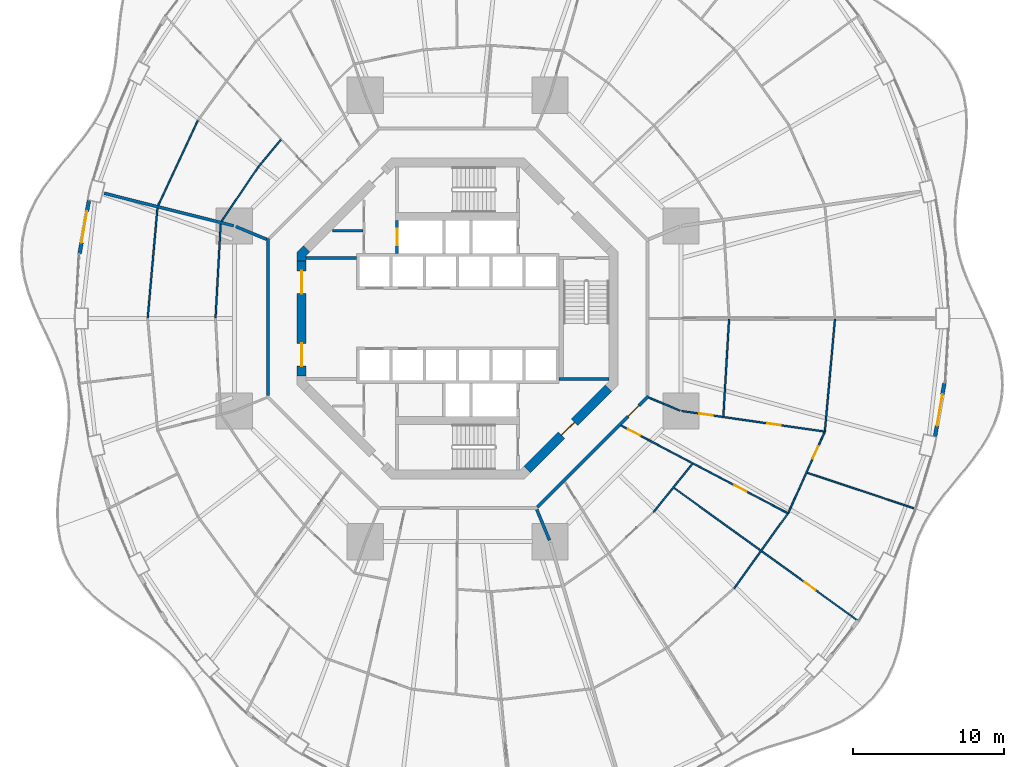
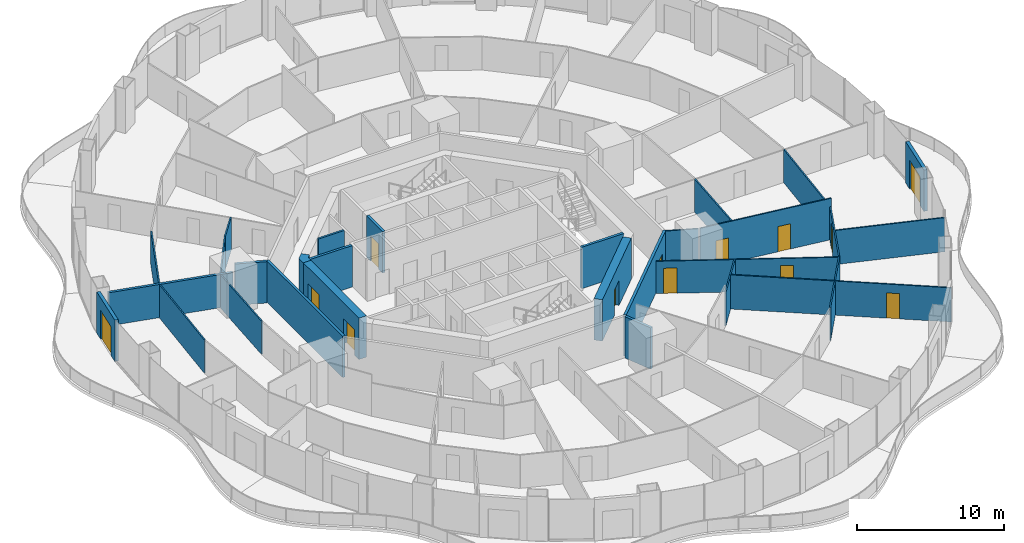
# One storey, part 16 of 22: 29 walls, 13 doors, 13 openings.
"""IFC4 building model written with IfcOpenShell, lengths in metres."""

from ifc_helpers import new_model, si_unit, direction, frame, frame_2d, origin, place, context, subcontext, project, spatial, polyline, rectangle, outline, extrude, material, layer, layer_set, type_object, element, fill, save


model = new_model("IFC4")

# Units and contexts
model_context = context("Model", 3, precision=1e-05, world=origin(), true_north=direction((0.0, 1.0)))
body_context = subcontext(model_context, "Body", "Model", "MODEL_VIEW")
ifc_project = project(units=[si_unit("LENGTHUNIT", "METRE"), si_unit("AREAUNIT", "SQUARE_METRE"), si_unit("VOLUMEUNIT", "CUBIC_METRE"), si_unit("PLANEANGLEUNIT", "RADIAN"), si_unit("MASSUNIT", "GRAM", prefix="KILO")], contexts=[model_context])

# Site, building, storey
site_placement = place(None, origin())
site = spatial("IfcSite", under=ifc_project, at=site_placement, CompositionType="ELEMENT")
building_placement = place(site_placement, origin())
building = spatial("IfcBuilding", under=site, at=building_placement, Name="Nagisa Residences", CompositionType="ELEMENT")
storey_placement = place(building_placement, frame((0.0, 0.0, 38.10009765625)))
storey = spatial("IfcBuildingStorey", under=building, at=storey_placement, Name="L08", CompositionType="ELEMENT", Elevation=38.10009765625)

# Walls
ifc_material_1 = material(Name="Gypsum board on steel studs", Category="steel")
ifc_layer_1 = layer(ifc_material_1, 0.199951171875)
ifc_layer_set_1 = layer_set([ifc_layer_1], Name="Apartment compartment wall EI60 200")
wall_type_1 = type_object("IfcWallType", Name="Apartment compartment wall EI60 200", PredefinedType="PARTITIONING", material=ifc_layer_set_1)
wall_1_placement = place(storey_placement, frame((-12.6572265625, 5.24267578125, 0.0), z_axis=(0.0, 0.0, 1.0), x_axis=(-0.923885664896, 0.382668627144, 0.0)))
element("IfcWall", 1, at=wall_1_placement, inside=storey, type_object=wall_type_1, Name="wall:L08:u02", PredefinedType="PARTITIONING", context=body_context, shape_type="SweptSolid", body=[
    extrude(rectangle(XDim=2.200439453125, YDim=0.199951171875, at=frame_2d((1.10009765625, 0.0))), origin(), (0.0, 0.0, 1.0), 3.43994140625),
])
wall_2_placement = place(storey_placement, frame((-14.83056640625, 6.135009765625, 0.0), z_axis=(0.0, 0.0, 1.0), x_axis=(-0.969884949569, 0.243563512454, 0.0)))
element("IfcWall", 2, at=wall_2_placement, inside=storey, type_object=wall_type_1, Name="wall:L08:u03", PredefinedType="PARTITIONING", context=body_context, shape_type="SweptSolid", body=[
    extrude(rectangle(XDim=8.828857421875, YDim=0.199951171875, at=frame_2d((4.41455078125, 0.0))), origin(), (0.0, 0.0, 1.0), 2.755859375),
])
wall_3_placement = place(storey_placement, frame((5.24267578125, -12.6572265625, 0.0), z_axis=(0.0, 0.0, 1.0), x_axis=(0.382707856524, -0.923869415315, 0.0)))
element("IfcWall", 3, at=wall_3_placement, inside=storey, type_object=wall_type_1, Name="wall:L08:u04", PredefinedType="PARTITIONING", context=body_context, shape_type="SweptSolid", body=[
    extrude(rectangle(XDim=2.2001953125, YDim=0.199951171875, at=frame_2d((1.10009765625, 0.0))), origin(), (0.0, 0.0, 1.0), 3.43994140625),
])
ifc_material_2 = material(Name="Gypsum board on steel studs", Category="steel")
ifc_layer_2 = layer(ifc_material_2, 0.199951171875)
ifc_layer_set_2 = layer_set([ifc_layer_2], Name="Apartment entry wall EI60 200")
wall_type_2 = type_object("IfcWallType", Name="Apartment entry wall EI60 200", PredefinedType="PARTITIONING", material=ifc_layer_set_2)
wall_4_placement = place(storey_placement, frame((-12.564697265625, 5.304443359375, 0.0), z_axis=(0.0, 0.0, 1.0), x_axis=(0.0, -1.0, 0.0)))
element("IfcWall", 4, at=wall_4_placement, inside=storey, type_object=wall_type_2, Name="wall:L08:u10", PredefinedType="PARTITIONING", context=body_context, shape_type="SweptSolid", body=[
    extrude(rectangle(XDim=10.408935546875, YDim=0.199951171875, at=frame_2d((5.20458984375, 0.0))), origin(), (0.0, 0.0, 1.0), 3.43994140625),
])

# Wall, opening, door
wall_5_placement = place(storey_placement, frame((5.275146484375, -12.494140625, 0.0), z_axis=(0.0, 0.0, 1.0), x_axis=(0.707106781187, 0.707106781187, 0.0)))
wall_5 = element("IfcWall", 5, at=wall_5_placement, inside=storey, type_object=wall_type_2, Name="wall:L08:u13", PredefinedType="PARTITIONING", context=body_context, shape_type="SweptSolid", body=[
    extrude(rectangle(XDim=10.4091796875, YDim=0.199951171875, at=frame_2d((5.20458984375, 0.0))), origin(), (0.0, 0.0, 1.0), 3.43994140625),
])
opening_1_placement = place(wall_5_placement, frame((8.5078125, 0.0, 0.0)))
opening_1 = element("IfcOpeningElement", 6, at=opening_1_placement, cuts=wall_5, Name="Opening L08-U38", PredefinedType="OPENING", context=body_context, shape_type="SweptSolid", body=[
    extrude(rectangle(XDim=1.0, YDim=2.10009765625, at=frame_2d((0.5, 1.050048828125))), frame((0.0, 0.10986328125, 0.0), z_axis=(0.0, -1.0, 0.0), x_axis=(1.0, 0.0, 0.0)), (0.0, 0.0, 1.0), 0.219970703125),
])
ifc_material_3 = material(Name="Timber fire door set", Category="wood")
door_type_1 = type_object("IfcDoorType", Name="Apartment entry door FD30S 1000x2100", OperationType="NOTDEFINED", PredefinedType="DOOR", material=ifc_material_3)
door_1_placement = place(opening_1_placement, frame((1.0, 0.0, 0.0), x_axis=(-1.0, 0.0, 0.0)))
door_1 = element("IfcDoor", 7, at=door_1_placement, inside=storey, type_object=door_type_1, Name="Entry door, Apartment 08C", OperationType="SINGLE_SWING_LEFT", OverallHeight=2.10009765625, OverallWidth=1.0, PredefinedType="DOOR", context=body_context, shape_type="SweptSolid", body=[
    extrude(rectangle(XDim=1.0, YDim=2.10009765625, at=frame_2d((0.5, 1.050048828125))), frame((0.0, 0.02490234375, 0.0), z_axis=(0.0, -1.0, 0.0), x_axis=(1.0, 0.0, 0.0)), (0.0, 0.0, 1.0), 0.050048828125),
])
fill(opening_1, door_1)

# Walls
ifc_material_4 = material(Name="Gypsum board on steel studs", Category="steel")
ifc_layer_3 = layer(ifc_material_4, 0.10009765625)
ifc_layer_set_3 = layer_set([ifc_layer_3], Name="Apartment partition 100")
wall_type_3 = type_object("IfcWallType", Name="Apartment partition 100", PredefinedType="PARTITIONING", material=ifc_layer_set_3)
wall_6_placement = place(storey_placement, frame((17.971435546875, -0.0498046875, 0.0), z_axis=(0.0, 0.0, 1.0), x_axis=(-0.058475267553, -0.998288857538, 0.0)))
element("IfcWall", 8, at=wall_6_placement, inside=storey, type_object=wall_type_3, Name="wall:L08:u16", PredefinedType="PARTITIONING", context=body_context, shape_type="SweptSolid", body=[
    extrude(rectangle(XDim=6.43798828125, YDim=0.10009765625, at=frame_2d((3.218994140625, 0.0))), origin(), (0.0, 0.0, 1.0), 2.755859375),
])
wall_7_placement = place(storey_placement, frame((24.982177734375, -0.0498046875, 0.0), z_axis=(0.0, 0.0, 1.0), x_axis=(-0.089432471274, -0.995992888068, 0.0)))
element("IfcWall", 9, at=wall_7_placement, inside=storey, type_object=wall_type_3, Name="wall:L08:u18", PredefinedType="PARTITIONING", context=body_context, shape_type="SweptSolid", body=[
    extrude(rectangle(XDim=7.422607421875, YDim=0.10009765625, at=frame_2d((3.71142578125, 0.0))), origin(), (0.0, 0.0, 1.0), 2.755859375),
])
wall_8_placement = place(storey_placement, frame((-11.70458984375, 11.824951171875, 0.0), z_axis=(0.0, 0.0, 1.0), x_axis=(-0.640861724905, -0.767656335577, 0.0)))
element("IfcWall", 10, at=wall_8_placement, inside=storey, type_object=wall_type_3, Name="wall:L08:u49", PredefinedType="PARTITIONING", context=body_context, shape_type="SweptSolid", body=[
    extrude(rectangle(XDim=2.268310546875, YDim=0.10009765625, at=frame_2d((1.13427734375, 0.0))), origin(), (0.0, 0.0, 1.0), 2.755859375),
])
wall_9_placement = place(storey_placement, frame((-13.162353515625, 10.086669921875, 0.0), z_axis=(0.0, 0.0, 1.0), x_axis=(-0.55912750241, -0.829081682375, 0.0)))
element("IfcWall", 11, at=wall_9_placement, inside=storey, type_object=wall_type_3, Name="wall:L08:u50", PredefinedType="PARTITIONING", context=body_context, shape_type="SweptSolid", body=[
    extrude(rectangle(XDim=4.407958984375, YDim=0.10009765625, at=frame_2d((2.2041015625, 0.0))), origin(), (0.0, 0.0, 1.0), 2.755859375),
])
wall_10_placement = place(storey_placement, frame((-17.20263671875, 13.0947265625, 0.0), z_axis=(0.0, 0.0, 1.0), x_axis=(-0.423926333401, -0.905696673202, 0.0)))
element("IfcWall", 12, at=wall_10_placement, inside=storey, type_object=wall_type_3, Name="wall:L08:u51", PredefinedType="PARTITIONING", context=body_context, shape_type="SweptSolid", body=[
    extrude(rectangle(XDim=6.1875, YDim=0.10009765625, at=frame_2d((3.09375, 0.0))), origin(), (0.0, 0.0, 1.0), 2.755859375),
])
wall_11_placement = place(storey_placement, frame((-15.688232421875, 6.249267578125, 0.0), z_axis=(0.0, 0.0, 1.0), x_axis=(-0.054659814056, -0.998505034903, 0.0)))
element("IfcWall", 13, at=wall_11_placement, inside=storey, type_object=wall_type_3, Name="wall:L08:u52", PredefinedType="PARTITIONING", context=body_context, shape_type="SweptSolid", body=[
    extrude(rectangle(XDim=6.20849609375, YDim=0.10009765625, at=frame_2d((3.104248046875, 0.0))), origin(), (0.0, 0.0, 1.0), 2.755859375),
])
wall_12_placement = place(storey_placement, frame((-19.876708984375, 7.300537109375, 0.0), z_axis=(0.0, 0.0, 1.0), x_axis=(-0.088143415068, -0.996107794558, 0.0)))
element("IfcWall", 14, at=wall_12_placement, inside=storey, type_object=wall_type_3, Name="wall:L08:u53", PredefinedType="PARTITIONING", context=body_context, shape_type="SweptSolid", body=[
    extrude(rectangle(XDim=7.279052734375, YDim=0.10009765625, at=frame_2d((3.6396484375, 0.0))), origin(), (0.0, 0.0, 1.0), 2.755859375),
])
wall_13_placement = place(storey_placement, frame((12.962890625, -12.824951171875, 0.0), z_axis=(0.0, 0.0, 1.0), x_axis=(0.63012473344, 0.776493928056, 0.0)))
element("IfcWall", 15, at=wall_13_placement, inside=storey, type_object=wall_type_3, Name="wall:L08:u84", PredefinedType="PARTITIONING", context=body_context, shape_type="SweptSolid", body=[
    extrude(rectangle(XDim=4.1064453125, YDim=0.10009765625, at=frame_2d((2.05322265625, 0.0))), origin(), (0.0, 0.0, 1.0), 2.755859375),
])
wall_14_placement = place(storey_placement, frame((18.292724609375, -17.884033203125, 0.0), z_axis=(0.0, 0.0, 1.0), x_axis=(0.584558392935, 0.811351640936, 0.0)))
element("IfcWall", 16, at=wall_14_placement, inside=storey, type_object=wall_type_3, Name="wall:L08:u85", PredefinedType="PARTITIONING", context=body_context, shape_type="SweptSolid", body=[
    extrude(rectangle(XDim=6.084228515625, YDim=0.10009765625, at=frame_2d((3.0419921875, 0.0))), origin(), (0.0, 0.0, 1.0), 2.755859375),
])

# Wall, opening, door
wall_15_placement = place(storey_placement, frame((14.328857421875, -11.22119140625, 0.0), z_axis=(0.0, 0.0, 1.0), x_axis=(0.810671130917, -0.58550176558, 0.0)))
wall_15 = element("IfcWall", 17, at=wall_15_placement, inside=storey, type_object=wall_type_3, Name="wall:L08:u86", PredefinedType="PARTITIONING", context=body_context, shape_type="SweptSolid", body=[
    extrude(rectangle(XDim=15.105712890625, YDim=0.10009765625, at=frame_2d((7.552734375, 0.0))), origin(), (0.0, 0.0, 1.0), 2.8369140625),
])
opening_2_placement = place(wall_15_placement, frame((10.65869140625, 0.0, 0.0)))
opening_2 = element("IfcOpeningElement", 18, at=opening_2_placement, cuts=wall_15, Name="Opening L08-U47", PredefinedType="OPENING", context=body_context, shape_type="SweptSolid", body=[
    extrude(rectangle(XDim=0.89990234375, YDim=2.10009765625, at=frame_2d((0.449951171875, 1.050048828125))), frame((0.0, 0.06005859375, 0.0), z_axis=(0.0, -1.0, 0.0), x_axis=(1.0, 0.0, 0.0)), (0.0, 0.0, 1.0), 0.1201171875),
])
ifc_material_5 = material(Name="Timber door set", Category="wood")
door_type_2 = type_object("IfcDoorType", Name="Apartment door 900x2100", OperationType="NOTDEFINED", PredefinedType="DOOR", material=ifc_material_5)
door_2_placement = place(opening_2_placement, origin())
door_2 = element("IfcDoor", 19, at=door_2_placement, inside=storey, type_object=door_type_2, Name="Door to master bedroom, Apartment 08C", OperationType="SINGLE_SWING_LEFT", OverallHeight=2.10009765625, OverallWidth=0.89990234375, PredefinedType="DOOR", context=body_context, shape_type="SweptSolid", body=[
    extrude(rectangle(XDim=0.89990234375, YDim=2.10009765625, at=frame_2d((0.449951171875, 1.050048828125))), frame((0.0, 0.02490234375, 0.0), z_axis=(0.0, -1.0, 0.0), x_axis=(1.0, 0.0, 0.0)), (0.0, 0.0, 1.0), 0.050048828125),
])
fill(opening_2, door_2)

# Wall, openings, doors
wall_16_placement = place(storey_placement, frame((10.813232421875, -7.091064453125, 0.0), z_axis=(0.0, 0.0, 1.0), x_axis=(0.885182649479, -0.465243674928, 0.0)))
wall_16 = element("IfcWall", 20, at=wall_16_placement, inside=storey, type_object=wall_type_3, Name="wall:L08:u87", PredefinedType="PARTITIONING", context=body_context, shape_type="SweptSolid", body=[
    extrude(rectangle(XDim=12.550537109375, YDim=0.10009765625, at=frame_2d((6.275390625, 0.0))), origin(), (0.0, 0.0, 1.0), 2.68701171875),
])
opening_3_placement = place(wall_16_placement, frame((0.539306640625, 0.0, 0.0)))
opening_3 = element("IfcOpeningElement", 21, at=opening_3_placement, cuts=wall_16, Name="Opening L08-U39", PredefinedType="OPENING", context=body_context, shape_type="SweptSolid", body=[
    extrude(rectangle(XDim=0.89990234375, YDim=2.10009765625, at=frame_2d((0.449951171875, 1.050048828125))), frame((0.0, 0.06005859375, 0.0), z_axis=(0.0, -1.0, 0.0), x_axis=(1.0, 0.0, 0.0)), (0.0, 0.0, 1.0), 0.1201171875),
])
opening_4_placement = place(wall_16_placement, frame((8.493896484375, 0.0, 0.0)))
opening_4 = element("IfcOpeningElement", 22, at=opening_4_placement, cuts=wall_16, Name="Opening L08-U43", PredefinedType="OPENING", context=body_context, shape_type="SweptSolid", body=[
    extrude(rectangle(XDim=0.89990234375, YDim=2.10009765625, at=frame_2d((0.449951171875, 1.050048828125))), frame((0.0, 0.06005859375, 0.0), z_axis=(0.0, -1.0, 0.0), x_axis=(1.0, 0.0, 0.0)), (0.0, 0.0, 1.0), 0.1201171875),
])
door_3_placement = place(opening_3_placement, frame((0.89990234375, 0.0, 0.0), x_axis=(-1.0, 0.0, 0.0)))
door_3 = element("IfcDoor", 23, at=door_3_placement, inside=storey, type_object=door_type_2, Name="Door to store, Apartment 08C", OperationType="SINGLE_SWING_RIGHT", OverallHeight=2.10009765625, OverallWidth=0.89990234375, PredefinedType="DOOR", context=body_context, shape_type="SweptSolid", body=[
    extrude(rectangle(XDim=0.89990234375, YDim=2.10009765625, at=frame_2d((0.449951171875, 1.050048828125))), frame((0.0, 0.02490234375, 0.0), z_axis=(0.0, -1.0, 0.0), x_axis=(1.0, 0.0, 0.0)), (0.0, 0.0, 1.0), 0.050048828125),
])
fill(opening_3, door_3)
door_4_placement = place(opening_4_placement, frame((0.89990234375, 0.0, 0.0), x_axis=(-1.0, 0.0, 0.0)))
door_4 = element("IfcDoor", 24, at=door_4_placement, inside=storey, type_object=door_type_2, Name="Door to family bathroom, Apartment 08C", OperationType="SINGLE_SWING_RIGHT", OverallHeight=2.10009765625, OverallWidth=0.89990234375, PredefinedType="DOOR", context=body_context, shape_type="SweptSolid", body=[
    extrude(rectangle(XDim=0.89990234375, YDim=2.10009765625, at=frame_2d((0.449951171875, 1.050048828125))), frame((0.0, 0.02490234375, 0.0), z_axis=(0.0, -1.0, 0.0), x_axis=(1.0, 0.0, 0.0)), (0.0, 0.0, 1.0), 0.050048828125),
])
fill(opening_4, door_4)

# Wall, opening, door
wall_17_placement = place(storey_placement, frame((21.89892578125, -12.861328125, 0.0), z_axis=(0.0, 0.0, 1.0), x_axis=(0.410197710154, 0.911996622025, 0.0)))
wall_17 = element("IfcWall", 25, at=wall_17_placement, inside=storey, type_object=wall_type_3, Name="wall:L08:u88", PredefinedType="PARTITIONING", context=body_context, shape_type="SweptSolid", body=[
    extrude(rectangle(XDim=5.8369140625, YDim=0.10009765625, at=frame_2d((2.91845703125, 0.0))), origin(), (0.0, 0.0, 1.0), 2.755859375),
])
opening_5_placement = place(wall_17_placement, frame((3.927734375, 0.0, 0.0)))
opening_5 = element("IfcOpeningElement", 26, at=opening_5_placement, cuts=wall_17, Name="Opening L08-U48", PredefinedType="OPENING", context=body_context, shape_type="SweptSolid", body=[
    extrude(rectangle(XDim=0.89990234375, YDim=2.10009765625, at=frame_2d((0.449951171875, 1.050048828125))), frame((0.0, 0.06005859375, 0.0), z_axis=(0.0, -1.0, 0.0), x_axis=(1.0, 0.0, 0.0)), (0.0, 0.0, 1.0), 0.1201171875),
])
door_5_placement = place(opening_5_placement, frame((0.89990234375, 0.0, 0.0), x_axis=(-1.0, 0.0, 0.0)))
door_5 = element("IfcDoor", 27, at=door_5_placement, inside=storey, type_object=door_type_2, Name="Door to living room, Apartment 08C", OperationType="SINGLE_SWING_LEFT", OverallHeight=2.10009765625, OverallWidth=0.89990234375, PredefinedType="DOOR", context=body_context, shape_type="SweptSolid", body=[
    extrude(rectangle(XDim=0.89990234375, YDim=2.10009765625, at=frame_2d((0.449951171875, 1.050048828125))), frame((0.0, 0.02490234375, 0.0), z_axis=(0.0, -1.0, 0.0), x_axis=(1.0, 0.0, 0.0)), (0.0, 0.0, 1.0), 0.050048828125),
])
fill(opening_5, door_5)

# Walls
wall_18_placement = place(storey_placement, frame((23.1435546875, -10.215576171875, 0.0), z_axis=(0.0, 0.0, 1.0), x_axis=(0.948811715359, -0.315842253027, 0.0)))
element("IfcWall", 28, at=wall_18_placement, inside=storey, type_object=wall_type_3, Name="wall:L08:u89", PredefinedType="PARTITIONING", context=body_context, shape_type="SweptSolid", body=[
    extrude(rectangle(XDim=7.599853515625, YDim=0.10009765625, at=frame_2d((3.7998046875, 0.0))), origin(), (0.0, 0.0, 1.0), 2.8369140625),
])
wall_19_placement = place(storey_placement, frame((12.6572265625, -5.24267578125, 0.0), z_axis=(0.0, 0.0, 1.0), x_axis=(0.923864733477, -0.382719158442, 0.0)))
element("IfcWall", 29, at=wall_19_placement, inside=storey, type_object=wall_type_3, Name="wall:L08:u90", PredefinedType="PARTITIONING", context=body_context, shape_type="SweptSolid", body=[
    extrude(rectangle(XDim=2.25, YDim=0.10009765625, at=frame_2d((1.125, 0.0))), origin(), (0.0, 0.0, 1.0), 3.43994140625),
])

# Wall, openings, doors
wall_20_placement = place(storey_placement, frame((14.83154296875, -6.130126953125, 0.0), z_axis=(0.0, 0.0, 1.0), x_axis=(0.989837122016, -0.142205737856, 0.0)))
wall_20 = element("IfcWall", 30, at=wall_20_placement, inside=storey, type_object=wall_type_3, Name="wall:L08:u91", PredefinedType="PARTITIONING", context=body_context, shape_type="SweptSolid", body=[
    extrude(rectangle(XDim=9.629638671875, YDim=0.10009765625, at=frame_2d((4.81494140625, 0.0))), origin(), (0.0, 0.0, 1.0), 3.43994140625),
])
opening_6_placement = place(wall_20_placement, frame((1.18212890625, 0.0, 0.0)))
opening_6 = element("IfcOpeningElement", 31, at=opening_6_placement, cuts=wall_20, Name="Opening L08-U40", PredefinedType="OPENING", context=body_context, shape_type="SweptSolid", body=[
    extrude(rectangle(XDim=0.89990234375, YDim=2.10009765625, at=frame_2d((0.449951171875, 1.050048828125))), frame((0.0, 0.06005859375, 0.0), z_axis=(0.0, -1.0, 0.0), x_axis=(1.0, 0.0, 0.0)), (0.0, 0.0, 1.0), 0.1201171875),
])
opening_7_placement = place(wall_20_placement, frame((5.734130859375, 0.0, 0.0)))
opening_7 = element("IfcOpeningElement", 32, at=opening_7_placement, cuts=wall_20, Name="Opening L08-U44", PredefinedType="OPENING", context=body_context, shape_type="SweptSolid", body=[
    extrude(rectangle(XDim=0.89990234375, YDim=2.10009765625, at=frame_2d((0.449951171875, 1.050048828125))), frame((0.0, 0.06005859375, 0.0), z_axis=(0.0, -1.0, 0.0), x_axis=(1.0, 0.0, 0.0)), (0.0, 0.0, 1.0), 0.1201171875),
])
door_6_placement = place(opening_6_placement, origin())
door_6 = element("IfcDoor", 33, at=door_6_placement, inside=storey, type_object=door_type_2, Name="Door to laundry, Apartment 08C", OperationType="SINGLE_SWING_RIGHT", OverallHeight=2.10009765625, OverallWidth=0.89990234375, PredefinedType="DOOR", context=body_context, shape_type="SweptSolid", body=[
    extrude(rectangle(XDim=0.89990234375, YDim=2.10009765625, at=frame_2d((0.449951171875, 1.050048828125))), frame((0.0, 0.02490234375, 0.0), z_axis=(0.0, -1.0, 0.0), x_axis=(1.0, 0.0, 0.0)), (0.0, 0.0, 1.0), 0.050048828125),
])
fill(opening_6, door_6)
door_7_placement = place(opening_7_placement, origin())
door_7 = element("IfcDoor", 34, at=door_7_placement, inside=storey, type_object=door_type_2, Name="Door to dining room, Apartment 08C", OperationType="SINGLE_SWING_RIGHT", OverallHeight=2.10009765625, OverallWidth=0.89990234375, PredefinedType="DOOR", context=body_context, shape_type="SweptSolid", body=[
    extrude(rectangle(XDim=0.89990234375, YDim=2.10009765625, at=frame_2d((0.449951171875, 1.050048828125))), frame((0.0, 0.02490234375, 0.0), z_axis=(0.0, -1.0, 0.0), x_axis=(1.0, 0.0, 0.0)), (0.0, 0.0, 1.0), 0.050048828125),
])
fill(opening_7, door_7)

# Wall, opening, door
ifc_material_6 = material(Name="Precast concrete C40/50", Category="concrete")
ifc_layer_4 = layer(ifc_material_6, 0.25)
ifc_layer_set_4 = layer_set([ifc_layer_4], Name="BALCONY DOOR WALL 250")
wall_type_4 = type_object("IfcWallType", Name="BALCONY DOOR WALL 250", PredefinedType="SOLIDWALL", material=ifc_layer_set_4)
wall_21_placement = place(storey_placement, frame((-25.02880859375, 4.285888671875, 0.0), z_axis=(0.0, 0.0, 1.0), x_axis=(0.172217377323, 0.98505897029, 0.0)))
wall_21 = element("IfcWall", 35, at=wall_21_placement, inside=storey, type_object=wall_type_4, Name="wall:L08:bay22", PredefinedType="SOLIDWALL", context=body_context, shape_type="SweptSolid", body=[
    extrude(rectangle(XDim=3.597900390625, YDim=0.25, at=frame_2d((1.798828125, 0.0))), origin(), (0.0, 0.0, 1.0), 3.43994140625),
])
opening_8_placement = place(wall_21_placement, frame((0.7490234375, 0.0, 0.0)))
opening_8 = element("IfcOpeningElement", 36, at=opening_8_placement, cuts=wall_21, Name="Opening BD-L08-08", PredefinedType="OPENING", context=body_context, shape_type="SweptSolid", body=[
    extrude(rectangle(XDim=2.10009765625, YDim=2.39990234375, at=frame_2d((1.050048828125, 1.199951171875))), frame((0.0, 0.135009765625, 0.0), z_axis=(0.0, -1.0, 0.0), x_axis=(1.0, 0.0, 0.0)), (0.0, 0.0, 1.0), 0.27001953125),
])
ifc_material_7 = material(Name="Aluminium and clear glass", Category="aluminium")
door_type_3 = type_object("IfcDoorType", Name="BALCONY SLIDING DOOR 2100x2400", OperationType="SLIDING_TO_LEFT", PredefinedType="DOOR", material=ifc_material_7)
door_8_placement = place(opening_8_placement, origin())
door_8 = element("IfcDoor", 37, at=door_8_placement, inside=storey, type_object=door_type_3, Name="door:L08:bay22", OperationType="SLIDING_TO_LEFT", OverallHeight=2.39990234375, OverallWidth=2.10009765625, PredefinedType="DOOR", context=body_context, shape_type="SweptSolid", body=[
    extrude(rectangle(XDim=2.10009765625, YDim=2.39990234375, at=frame_2d((1.050048828125, 1.199951171875))), frame((0.0, 0.02490234375, 0.0), z_axis=(0.0, -1.0, 0.0), x_axis=(1.0, 0.0, 0.0)), (0.0, 0.0, 1.0), 0.050048828125),
])
fill(opening_8, door_8)

wall_22_placement = place(storey_placement, frame((32.228759765625, -4.285888671875, 0.0), z_axis=(0.0, 0.0, 1.0), x_axis=(-0.172217377323, -0.98505897029, 0.0)))
wall_22 = element("IfcWall", 38, at=wall_22_placement, inside=storey, type_object=wall_type_4, Name="wall:L08:bay46", PredefinedType="SOLIDWALL", context=body_context, shape_type="SweptSolid", body=[
    extrude(rectangle(XDim=3.597900390625, YDim=0.25, at=frame_2d((1.798828125, 0.0))), origin(), (0.0, 0.0, 1.0), 3.43994140625),
])
opening_9_placement = place(wall_22_placement, frame((0.7490234375, 0.0, 0.0)))
opening_9 = element("IfcOpeningElement", 39, at=opening_9_placement, cuts=wall_22, Name="Opening BD-L08-16", PredefinedType="OPENING", context=body_context, shape_type="SweptSolid", body=[
    extrude(rectangle(XDim=2.10009765625, YDim=2.39990234375, at=frame_2d((1.050048828125, 1.199951171875))), frame((0.0, 0.135009765625, 0.0), z_axis=(0.0, -1.0, 0.0), x_axis=(1.0, 0.0, 0.0)), (0.0, 0.0, 1.0), 0.27001953125),
])
door_9_placement = place(opening_9_placement, origin())
door_9 = element("IfcDoor", 40, at=door_9_placement, inside=storey, type_object=door_type_3, Name="door:L08:bay46", OperationType="SLIDING_TO_LEFT", OverallHeight=2.39990234375, OverallWidth=2.10009765625, PredefinedType="DOOR", context=body_context, shape_type="SweptSolid", body=[
    extrude(rectangle(XDim=2.10009765625, YDim=2.39990234375, at=frame_2d((1.050048828125, 1.199951171875))), frame((0.0, 0.02490234375, 0.0), z_axis=(0.0, -1.0, 0.0), x_axis=(1.0, 0.0, 0.0)), (0.0, 0.0, 1.0), 0.050048828125),
])
fill(opening_9, door_9)

# Walls
ifc_material_8 = material(Name="Gypsum board on steel studs", Category="steel")
ifc_layer_5 = layer(ifc_material_8, 0.14990234375)
ifc_layer_set_5 = layer_set([ifc_layer_5], Name="Core partition 150")
wall_type_5 = type_object("IfcWallType", Name="Core partition 150", PredefinedType="PARTITIONING", material=ifc_layer_set_5)
wall_23_placement = place(storey_placement, frame((-8.301025390625, 5.800048828125, 0.0), z_axis=(0.0, 0.0, 1.0), x_axis=(1.0, 0.0, 0.0)))
element("IfcWall", 41, at=wall_23_placement, inside=storey, type_object=wall_type_5, Name="wall:L08:NWq", PredefinedType="PARTITIONING", context=body_context, shape_type="SweptSolid", body=[
    extrude(rectangle(XDim=2.026123046875, YDim=0.14990234375, at=frame_2d((1.01318359375, 0.0))), origin(), (0.0, 0.0, 1.0), 3.43994140625),
])
ifc_material_9 = material(Name="Gypsum board on steel studs", Category="steel")
ifc_layer_6 = layer(ifc_material_9, 0.199951171875)
ifc_layer_set_6 = layer_set([ifc_layer_6], Name="Core partition 200")
wall_type_6 = type_object("IfcWallType", Name="Core partition 200", PredefinedType="PARTITIONING", material=ifc_layer_set_6)
wall_24_placement = place(storey_placement, frame((-10.024658203125, 4.0, 0.0), z_axis=(0.0, 0.0, 1.0), x_axis=(1.0, 0.0, 0.0)))
element("IfcWall", 42, at=wall_24_placement, inside=storey, type_object=wall_type_6, Name="wall:L08:PNW", PredefinedType="PARTITIONING", context=body_context, shape_type="SweptSolid", body=[
    extrude(rectangle(XDim=3.32470703125, YDim=0.199951171875, at=frame_2d((1.662353515625, 0.0))), origin(), (0.0, 0.0, 1.0), 3.43994140625),
])

# Wall, openings, doors
ifc_material_10 = material(Name="Concrete C60", Category="concrete")
ifc_layer_7 = layer(ifc_material_10, 0.60009765625)
ifc_layer_set_7 = layer_set([ifc_layer_7], Name="Core shear wall 600")
wall_type_7 = type_object("IfcWallType", Name="Core shear wall 600", PredefinedType="SHEAR", material=ifc_layer_set_7)
wall_25_placement = place(storey_placement, frame((-10.32470703125, 3.80078125, 0.0), z_axis=(0.0, 0.0, 1.0), x_axis=(0.0, -1.0, 0.0)))
wall_25 = element("IfcWall", 43, at=wall_25_placement, inside=storey, type_object=wall_type_7, Name="wall:L08:core:flat4", PredefinedType="SHEAR", context=body_context, shape_type="SweptSolid", body=[
    extrude(rectangle(XDim=7.6015625, YDim=0.60009765625, at=frame_2d((3.80078125, 0.0))), origin(), (0.0, 0.0, 1.0), 3.43994140625),
])
opening_10_placement = place(wall_25_placement, frame((0.65087890625, 0.0, 0.0)))
opening_10 = element("IfcOpeningElement", 44, at=opening_10_placement, cuts=wall_25, Name="Opening L08-C19", PredefinedType="OPENING", context=body_context, shape_type="SweptSolid", body=[
    extrude(rectangle(XDim=1.5, YDim=2.10009765625, at=frame_2d((0.75, 1.050048828125))), frame((0.0, 0.31005859375, 0.0), z_axis=(0.0, -1.0, 0.0), x_axis=(1.0, 0.0, 0.0)), (0.0, 0.0, 1.0), 0.6201171875),
])
opening_11_placement = place(wall_25_placement, frame((5.450927734375, 0.0, 0.0)))
opening_11 = element("IfcOpeningElement", 45, at=opening_11_placement, cuts=wall_25, Name="Opening L08-C20", PredefinedType="OPENING", context=body_context, shape_type="SweptSolid", body=[
    extrude(rectangle(XDim=1.5, YDim=2.10009765625, at=frame_2d((0.75, 1.050048828125))), frame((0.0, 0.31005859375, 0.0), z_axis=(0.0, -1.0, 0.0), x_axis=(1.0, 0.0, 0.0)), (0.0, 0.0, 1.0), 0.6201171875),
])
ifc_material_11 = material(Name="Steel fire door", Category="steel")
door_type_4 = type_object("IfcDoorType", Name="Fire door EI60 1500x2100 double door single swing", OperationType="DOUBLE_DOOR_SINGLE_SWING", PredefinedType="DOOR", material=ifc_material_11)
door_10_placement = place(opening_10_placement, origin())
door_10 = element("IfcDoor", 46, at=door_10_placement, inside=storey, type_object=door_type_4, Name="Lift lobby door L08 1", OperationType="DOUBLE_DOOR_SINGLE_SWING", OverallHeight=2.10009765625, OverallWidth=1.5, PredefinedType="DOOR", context=body_context, shape_type="SweptSolid", body=[
    extrude(rectangle(XDim=1.5, YDim=2.10009765625, at=frame_2d((0.75, 1.050048828125))), frame((0.0, 0.02490234375, 0.0), z_axis=(0.0, -1.0, 0.0), x_axis=(1.0, 0.0, 0.0)), (0.0, 0.0, 1.0), 0.050048828125),
])
fill(opening_10, door_10)
door_11_placement = place(opening_11_placement, origin())
door_11 = element("IfcDoor", 47, at=door_11_placement, inside=storey, type_object=door_type_4, Name="Lift lobby door L08 2", OperationType="DOUBLE_DOOR_SINGLE_SWING", OverallHeight=2.10009765625, OverallWidth=1.5, PredefinedType="DOOR", context=body_context, shape_type="SweptSolid", body=[
    extrude(rectangle(XDim=1.5, YDim=2.10009765625, at=frame_2d((0.75, 1.050048828125))), frame((0.0, 0.02490234375, 0.0), z_axis=(0.0, -1.0, 0.0), x_axis=(1.0, 0.0, 0.0)), (0.0, 0.0, 1.0), 0.050048828125),
])
fill(opening_11, door_11)

# Wall, opening, door
wall_26_placement = place(storey_placement, frame((4.613037109375, -9.98828125, 0.0), z_axis=(0.0, 0.0, 1.0), x_axis=(0.707106781187, 0.707106781187, 0.0)))
wall_26 = element("IfcWall", 48, at=wall_26_placement, inside=storey, type_object=wall_type_7, Name="wall:L08:core:flat7", PredefinedType="SHEAR", context=body_context, shape_type="SweptSolid", body=[
    extrude(rectangle(XDim=7.601806640625, YDim=0.60009765625, at=frame_2d((3.80078125, 0.0))), origin(), (0.0, 0.0, 1.0), 3.43994140625),
])
opening_12_placement = place(wall_26_placement, frame((3.200927734375, 0.0, 0.0)))
opening_12 = element("IfcOpeningElement", 49, at=opening_12_placement, cuts=wall_26, Name="Opening L08-C18", PredefinedType="OPENING", context=body_context, shape_type="SweptSolid", body=[
    extrude(rectangle(XDim=1.199951171875, YDim=2.10009765625, at=frame_2d((0.60009765625, 1.050048828125))), frame((0.0, 0.31005859375, 0.0), z_axis=(0.0, -1.0, 0.0), x_axis=(1.0, 0.0, 0.0)), (0.0, 0.0, 1.0), 0.6201171875),
])
ifc_material_12 = material(Name="Steel fire door", Category="steel")
door_type_5 = type_object("IfcDoorType", Name="Fire door EI60 1200x2100 single swing", OperationType="NOTDEFINED", PredefinedType="DOOR", material=ifc_material_12)
door_12_placement = place(opening_12_placement, origin())
door_12 = element("IfcDoor", 50, at=door_12_placement, inside=storey, type_object=door_type_5, Name="Firefighting lobby 2 door L08", OperationType="SINGLE_SWING_RIGHT", OverallHeight=2.10009765625, OverallWidth=1.199951171875, PredefinedType="DOOR", context=body_context, shape_type="SweptSolid", body=[
    extrude(rectangle(XDim=1.199951171875, YDim=2.10009765625, at=frame_2d((0.60009765625, 1.050048828125))), frame((0.0, 0.02490234375, 0.0), z_axis=(0.0, -1.0, 0.0), x_axis=(1.0, 0.0, 0.0)), (0.0, 0.0, 1.0), 0.050048828125),
])
fill(opening_12, door_12)

# Wall
wall_27_placement = place(storey_placement, origin())
element("IfcWall", 51, at=wall_27_placement, inside=storey, type_object=wall_type_7, Name="wall:L08:core:pier3", PredefinedType="SHEAR", context=body_context, shape_type="SweptSolid", body=[
    extrude(outline(polyline([(-10.200439453125, 4.8251953125), (-9.776123046875, 4.40087890625), (-10.024658203125, 4.15234375), (-10.024658203125, 3.80078125), (-10.62451171875, 3.80078125), (-10.62451171875, 4.40087890625), (-10.200439453125, 4.8251953125)])), origin(), (0.0, 0.0, 1.0), 3.43994140625),
])

# Wall, opening, door
ifc_material_13 = material(Name="Concrete C60", Category="concrete")
ifc_layer_8 = layer(ifc_material_13, 0.199951171875)
ifc_layer_set_8 = layer_set([ifc_layer_8], Name="Lift shaft wall 200")
wall_type_8 = type_object("IfcWallType", Name="Lift shaft wall 200", PredefinedType="SOLIDWALL", material=ifc_layer_set_8)
wall_28_placement = place(storey_placement, frame((-4.0, 4.300048828125, 0.0), z_axis=(0.0, 0.0, 1.0), x_axis=(0.0, 1.0, 0.0)))
wall_28 = element("IfcWall", 52, at=wall_28_placement, inside=storey, type_object=wall_type_8, Name="wall:L08:Nb4", PredefinedType="SOLIDWALL", context=body_context, shape_type="SweptSolid", body=[
    extrude(rectangle(XDim=2.199951171875, YDim=0.199951171875, at=frame_2d((1.10009765625, 0.0))), origin(), (0.0, 0.0, 1.0), 3.43994140625),
])
opening_13_placement = place(wall_28_placement, frame((0.550048828125, 0.0, 0.0)))
opening_13 = element("IfcOpeningElement", 53, at=opening_13_placement, cuts=wall_28, Name="Opening L08-C08", PredefinedType="OPENING", context=body_context, shape_type="SweptSolid", body=[
    extrude(rectangle(XDim=1.10009765625, YDim=2.10009765625, at=frame_2d((0.550048828125, 1.050048828125))), frame((0.0, 0.10986328125, 0.0), z_axis=(0.0, -1.0, 0.0), x_axis=(1.0, 0.0, 0.0)), (0.0, 0.0, 1.0), 0.219970703125),
])
ifc_material_14 = material(Name="Stainless steel", Category="steel")
door_type_6 = type_object("IfcDoorType", Name="Lift landing door 1100x2100", OperationType="DOUBLE_DOOR_SLIDING", PredefinedType="DOOR", material=ifc_material_14)
door_13_placement = place(opening_13_placement, origin())
door_13 = element("IfcDoor", 54, at=door_13_placement, inside=storey, type_object=door_type_6, Name="Landing door SV L08", OperationType="DOUBLE_DOOR_SLIDING", OverallHeight=2.10009765625, OverallWidth=1.10009765625, PredefinedType="DOOR", context=body_context, shape_type="SweptSolid", body=[
    extrude(rectangle(XDim=1.10009765625, YDim=2.10009765625, at=frame_2d((0.550048828125, 1.050048828125))), frame((0.0, 0.02490234375, 0.0), z_axis=(0.0, -1.0, 0.0), x_axis=(1.0, 0.0, 0.0)), (0.0, 0.0, 1.0), 0.050048828125),
])
fill(opening_13, door_13)

# Wall
ifc_material_15 = material(Name="Concrete C60", Category="concrete")
ifc_layer_9 = layer(ifc_material_15, 0.199951171875)
ifc_layer_set_9 = layer_set([ifc_layer_9], Name="Stair enclosure wall 200")
wall_type_9 = type_object("IfcWallType", Name="Stair enclosure wall 200", PredefinedType="SOLIDWALL", material=ifc_layer_set_9)
wall_29_placement = place(storey_placement, origin())
element("IfcWall", 55, at=wall_29_placement, inside=storey, type_object=wall_type_9, Name="wall:L08:SE_s", PredefinedType="SOLIDWALL", context=body_context, shape_type="SweptSolid", body=[
    extrude(outline(polyline([(10.024658203125, -4.10009765625), (6.699951171875, -4.10009765625), (6.699951171875, -3.89990234375), (10.024658203125, -3.89990234375), (10.024658203125, -4.10009765625)])), origin(), (0.0, 0.0, 1.0), 3.43994140625),
])

save(model, "model.ifc")
